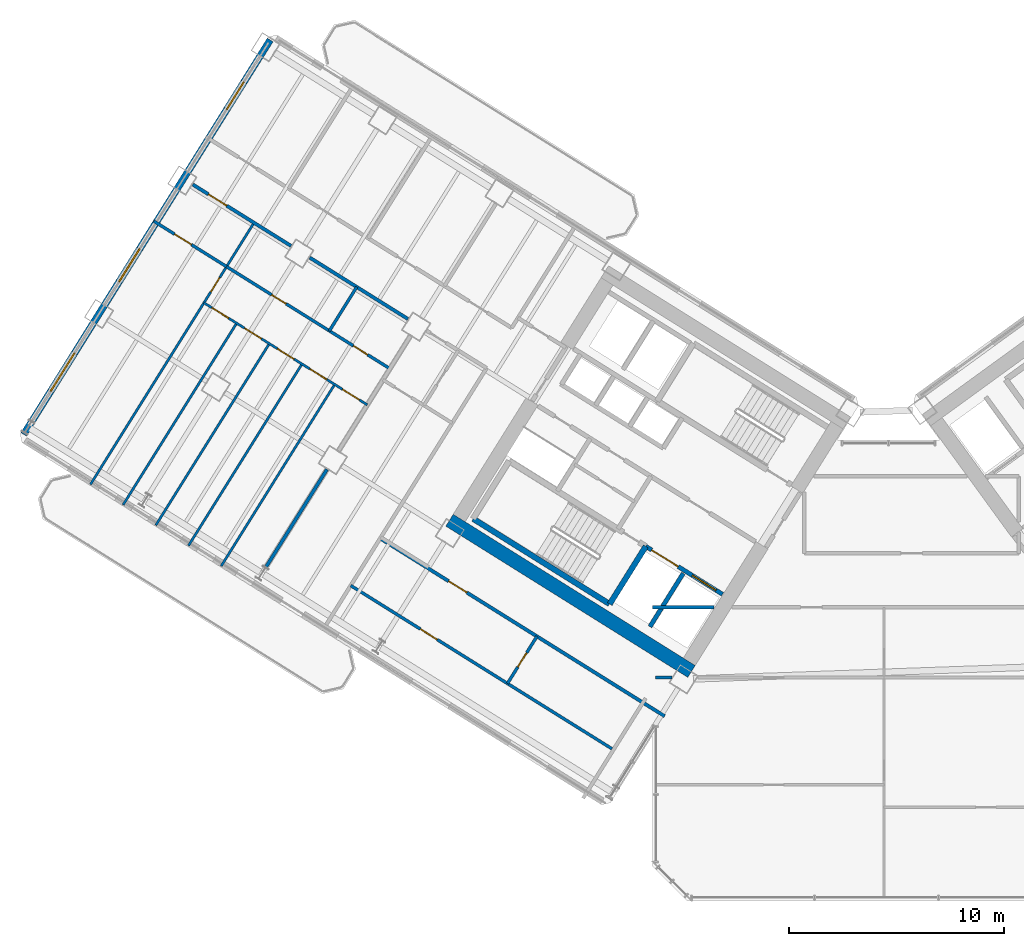
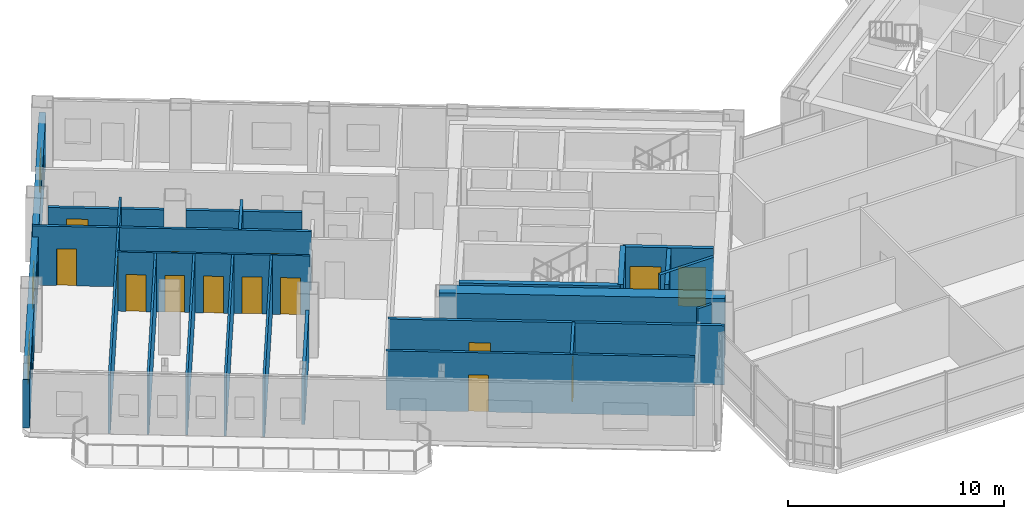
# One storey, part 15 of 28: 23 walls, 15 doors, 3 windows, 18 openings.
"""IFC4 building model written with IfcOpenShell, lengths in metres."""

from ifc_helpers import new_model, si_unit, direction, frame, frame_2d, origin, place, context, subcontext, project, spatial, rectangle, extrude, source, transform, mapped, material, layer, layer_set, type_object, element, fill, save


model = new_model("IFC4")

# Units and contexts
model_context = context("Model", 3, precision=1e-05, world=origin(), true_north=direction((0.0, 1.0)))
body_context = subcontext(model_context, "Body", "Model", "MODEL_VIEW")
ifc_project = project(units=[si_unit("LENGTHUNIT", "METRE"), si_unit("AREAUNIT", "SQUARE_METRE"), si_unit("VOLUMEUNIT", "CUBIC_METRE"), si_unit("PLANEANGLEUNIT", "RADIAN"), si_unit("MASSUNIT", "GRAM", prefix="KILO")], contexts=[model_context])

# Site, building, storey
site_placement = place(None, origin())
site = spatial("IfcSite", under=ifc_project, at=site_placement, CompositionType="ELEMENT")
building_placement = place(site_placement, origin())
building = spatial("IfcBuilding", under=site, at=building_placement, Name="Tlacorven Tower", CompositionType="ELEMENT")
storey_placement = place(building_placement, frame((0.0, 0.0, 63.60009765625)))
storey = spatial("IfcBuildingStorey", under=building, at=storey_placement, Name="L16", CompositionType="ELEMENT", Elevation=63.60009765625)

# Walls
ifc_material_1 = material(Name="Concrete C60/75", Category="concrete")
ifc_layer_1 = layer(ifc_material_1, 0.64990234375)
ifc_layer_set_1 = layer_set([ifc_layer_1], Name="Concrete C60/75")
wall_type_1 = type_object("IfcWallType", Name="WL-COR-650", PredefinedType="SHEAR", material=ifc_layer_set_1)
wall_1_placement = place(storey_placement, frame((33.40869140625, 12.449951171875, 0.0), z_axis=(0.0, 0.0, 1.0), x_axis=(-0.848051132073, 0.529914405721, 0.0)))
element("IfcWall", 1, at=wall_1_placement, inside=storey, type_object=wall_type_1, Name="L16 W core shear wall S2", PredefinedType="SHEAR", context=body_context, shape_type="SweptSolid", body=[
    extrude(rectangle(XDim=13.239990234375, YDim=0.64990234375, at=frame_2d((6.6201171875, 0.0))), origin(), (0.0, 0.0, 1.0), 3.349853515625),
])
ifc_material_2 = material(Name="Gypsum plasterboard acoustic partition", Category="gypsum")
ifc_layer_2 = layer(ifc_material_2, 0.159912109375)
ifc_layer_set_2 = layer_set([ifc_layer_2], Name="Gypsum plasterboard acoustic partition")
wall_type_2 = type_object("IfcWallType", Name="WL-DEM-160", PredefinedType="PARTITIONING", material=ifc_layer_set_2)
wall_2_placement = place(storey_placement, frame((20.250732421875, 28.80810546875, 0.0), z_axis=(0.0, 0.0, 1.0), x_axis=(-0.848044224181, 0.529925460639, 0.0)))
element("IfcWall", 2, at=wall_2_placement, inside=storey, type_object=wall_type_2, Name="L16 Wing W Corridor North Wall", PredefinedType="PARTITIONING", context=body_context, shape_type="SweptSolid", body=[
    extrude(rectangle(XDim=5.3759765625, YDim=0.159912109375, at=frame_2d((2.68798828125, 0.0))), origin(), (0.0, 0.0, 1.0), 2.724853515625),
])

# Wall, opening, door
wall_3_placement = place(storey_placement, frame((14.8232421875, 32.19970703125, 0.0), z_axis=(0.0, 0.0, 1.0), x_axis=(-0.848044224181, 0.529925460639, 0.0)))
wall_3 = element("IfcWall", 3, at=wall_3_placement, inside=storey, type_object=wall_type_2, Name="L16 Wing W Corridor North Wall", PredefinedType="PARTITIONING", context=body_context, shape_type="SweptSolid", body=[
    extrude(rectangle(XDim=5.3759765625, YDim=0.159912109375, at=frame_2d((2.68798828125, 0.0))), origin(), (0.0, 0.0, 1.0), 2.724853515625),
])
opening_1_placement = place(wall_3_placement, frame((3.51806640625, 0.0, 0.0)))
opening_1 = element("IfcOpeningElement", 4, at=opening_1_placement, cuts=wall_3, Name="Opening D11", PredefinedType="OPENING", context=body_context, shape_type="SweptSolid", body=[
    extrude(rectangle(XDim=1.0, YDim=2.10009765625, at=frame_2d((0.5, 1.050048828125))), frame((0.0, 0.08984375, 0.0), z_axis=(0.0, -1.0, 0.0), x_axis=(1.0, 0.0, 0.0)), (0.0, 0.0, 1.0), 0.179931640625),
])
ifc_material_3 = material(Name="Fire-rated steel door assembly", Category="steel")
door_type_1 = type_object("IfcDoorType", Name="DR-FLT-FD60-1000", OperationType="NOTDEFINED", PredefinedType="DOOR", material=ifc_material_3)
shared_shape_1 = source(origin(), body_context, "Body", "SweptSolid", [
    extrude(rectangle(XDim=1.0, YDim=2.10009765625, at=frame_2d((0.5, 1.050048828125))), frame((0.0, 0.02490234375, 0.0), z_axis=(0.0, -1.0, 0.0), x_axis=(1.0, 0.0, 0.0)), (0.0, 0.0, 1.0), 0.050048828125),
])
door_1_placement = place(opening_1_placement, origin())
door_1 = element("IfcDoor", 5, at=door_1_placement, inside=storey, type_object=door_type_1, Name="L16 door 028", OperationType="SINGLE_SWING_LEFT", OverallHeight=2.10009765625, OverallWidth=1.0, PredefinedType="DOOR", context=body_context, shape_type="MappedRepresentation", body=[
    mapped(shared_shape_1, transform((0.0, 0.0, 0.0), scale=1.0)),
])
fill(opening_1, door_1)

# Wall
wall_4_placement = place(storey_placement, frame((16.4921875, 21.8271484375, 0.0), z_axis=(0.0, 0.0, 1.0), x_axis=(-0.529904608059, -0.848057254175, 0.0)))
element("IfcWall", 6, at=wall_4_placement, inside=storey, type_object=wall_type_2, Name="L16 WN Demising Wall 1", PredefinedType="PARTITIONING", context=body_context, shape_type="SweptSolid", body=[
    extrude(rectangle(XDim=5.350830078125, YDim=0.159912109375, at=frame_2d((2.67529296875, 0.0))), origin(), (0.0, 0.0, 1.0), 2.724853515625),
])

# Wall, opening, door
wall_5_placement = place(storey_placement, frame((32.164306640625, 10.373779296875, 0.0), z_axis=(0.0, 0.0, 1.0), x_axis=(-0.848044107957, 0.529925646633, 0.0)))
wall_5 = element("IfcWall", 7, at=wall_5_placement, inside=storey, type_object=wall_type_2, Name="L16 partition 73", PredefinedType="PARTITIONING", context=body_context, shape_type="SweptSolid", body=[
    extrude(rectangle(XDim=15.570068359375, YDim=0.159912109375, at=frame_2d((7.78515625, 0.0))), origin(), (0.0, 0.0, 1.0), 3.33984375),
])
opening_2_placement = place(wall_5_placement, frame((10.830078125, 0.0, 0.0)))
opening_2 = element("IfcOpeningElement", 8, at=opening_2_placement, cuts=wall_5, Name="Opening D11", PredefinedType="OPENING", context=body_context, shape_type="SweptSolid", body=[
    extrude(rectangle(XDim=1.0, YDim=2.10009765625, at=frame_2d((0.5, 1.050048828125))), frame((0.0, 0.08984375, 0.0), z_axis=(0.0, -1.0, 0.0), x_axis=(1.0, 0.0, 0.0)), (0.0, 0.0, 1.0), 0.179931640625),
])
door_2_placement = place(opening_2_placement, origin())
door_2 = element("IfcDoor", 9, at=door_2_placement, inside=storey, type_object=door_type_1, Name="L16 door 042", OperationType="SINGLE_SWING_RIGHT", OverallHeight=2.10009765625, OverallWidth=1.0, PredefinedType="DOOR", context=body_context, shape_type="MappedRepresentation", body=[
    mapped(shared_shape_1, transform((0.0, 0.0, 0.0), scale=1.0)),
])
fill(opening_2, door_2)

# Wall
wall_6_placement = place(storey_placement, frame((31.60009765625, 15.419921875, 0.0), z_axis=(0.0, 0.0, 1.0), x_axis=(1.0, 0.0, 0.0)))
element("IfcWall", 10, at=wall_6_placement, inside=storey, type_object=wall_type_2, Name="L16 Knuckle Corridor South Wall", PredefinedType="PARTITIONING", context=body_context, shape_type="SweptSolid", body=[
    extrude(rectangle(XDim=2.8662109375, YDim=0.159912109375, at=frame_2d((1.43310546875, 0.0))), origin(), (0.0, 0.0, 1.0), 3.33984375),
])

# Wall, openings, windows
ifc_material_4 = material(Name="Precast concrete C45/55", Category="concrete")
ifc_layer_3 = layer(ifc_material_4, 0.320068359375)
ifc_layer_set_3 = layer_set([ifc_layer_3], Name="Precast concrete C45/55")
wall_type_3 = type_object("IfcWallType", Name="WL-EXT-320", PredefinedType="STANDARD", material=ifc_layer_set_3)
wall_7_placement = place(storey_placement, frame((2.41455078125, 23.452392578125, 0.0), z_axis=(0.0, 0.0, 1.0), x_axis=(0.52991049553, 0.848053575387, 0.0)))
wall_7 = element("IfcWall", 11, at=wall_7_placement, inside=storey, type_object=wall_type_3, Name="L16 Masonry-Frame Recessed Facade Wall 2", PredefinedType="STANDARD", context=body_context, shape_type="SweptSolid", body=[
    extrude(rectangle(XDim=21.58740234375, YDim=0.320068359375, at=frame_2d((10.793701171875, 0.0))), origin(), (0.0, 0.0, 1.0), 2.724853515625),
])
opening_3_placement = place(wall_7_placement, frame((2.356201171875, 0.0, 0.800048828125)))
opening_3 = element("IfcOpeningElement", 12, at=opening_3_placement, cuts=wall_7, Name="Opening WN04", PredefinedType="OPENING", context=body_context, shape_type="SweptSolid", body=[
    extrude(rectangle(XDim=2.10009765625, YDim=1.550048828125, at=frame_2d((1.050048828125, 0.77490234375))), frame((0.0, 0.169921875, 0.0), z_axis=(0.0, -1.0, 0.0), x_axis=(1.0, 0.0, 0.0)), (0.0, 0.0, 1.0), 0.340087890625),
])
opening_4_placement = place(wall_7_placement, frame((8.358642578125, 0.0, 0.85009765625)))
opening_4 = element("IfcOpeningElement", 13, at=opening_4_placement, cuts=wall_7, Name="Opening WN01", PredefinedType="OPENING", context=body_context, shape_type="SweptSolid", body=[
    extrude(rectangle(XDim=1.800048828125, YDim=1.5, at=frame_2d((0.89990234375, 0.75))), frame((0.0, 0.169921875, 0.0), z_axis=(0.0, -1.0, 0.0), x_axis=(1.0, 0.0, 0.0)), (0.0, 0.0, 1.0), 0.340087890625),
])
opening_5_placement = place(wall_7_placement, frame((17.78369140625, 0.0, 0.85009765625)))
opening_5 = element("IfcOpeningElement", 14, at=opening_5_placement, cuts=wall_7, Name="Opening WN02", PredefinedType="OPENING", context=body_context, shape_type="SweptSolid", body=[
    extrude(rectangle(XDim=1.5, YDim=1.5, at=frame_2d((0.75, 0.75))), frame((0.0, 0.169921875, 0.0), z_axis=(0.0, -1.0, 0.0), x_axis=(1.0, 0.0, 0.0)), (0.0, 0.0, 1.0), 0.340087890625),
])
ifc_material_5 = material(Name="Dark solar low-E double glazing in anodised aluminium frame", Category="aluminium")
window_type_1 = type_object("IfcWindowType", Name="WN-APT-2100X1750", PartitioningType="SINGLE_PANEL", PredefinedType="WINDOW", material=ifc_material_5)
shared_shape_2 = source(origin(), body_context, "Body", "SweptSolid", [
    extrude(rectangle(XDim=2.10009765625, YDim=1.550048828125, at=frame_2d((1.050048828125, 0.77490234375))), frame((0.0, 0.030029296875, 0.0), z_axis=(0.0, -1.0, 0.0), x_axis=(1.0, 0.0, 0.0)), (0.0, 0.0, 1.0), 0.06005859375),
])
window_1_placement = place(opening_3_placement, origin())
window_1 = element("IfcWindow", 15, at=window_1_placement, inside=storey, type_object=window_type_1, Name="L16 Recessed Masonry-Frame Window L16-02.1", OverallHeight=1.550048828125, OverallWidth=2.10009765625, PartitioningType="SINGLE_PANEL", PredefinedType="WINDOW", context=body_context, shape_type="MappedRepresentation", body=[
    mapped(shared_shape_2, transform((0.0, 0.0, 0.0), scale=1.0)),
])
fill(opening_3, window_1)
window_type_2 = type_object("IfcWindowType", Name="WN-APT-1800X1650", PartitioningType="SINGLE_PANEL", PredefinedType="WINDOW", material=ifc_material_5)
shared_shape_3 = source(origin(), body_context, "Body", "SweptSolid", [
    extrude(rectangle(XDim=1.800048828125, YDim=1.5, at=frame_2d((0.89990234375, 0.75))), frame((0.0, 0.030029296875, 0.0), z_axis=(0.0, -1.0, 0.0), x_axis=(1.0, 0.0, 0.0)), (0.0, 0.0, 1.0), 0.06005859375),
])
window_2_placement = place(opening_4_placement, origin())
window_2 = element("IfcWindow", 16, at=window_2_placement, inside=storey, type_object=window_type_2, Name="L16 Recessed Masonry-Frame Window L16-02.2", OverallHeight=1.5, OverallWidth=1.800048828125, PartitioningType="SINGLE_PANEL", PredefinedType="WINDOW", context=body_context, shape_type="MappedRepresentation", body=[
    mapped(shared_shape_3, transform((0.0, 0.0, 0.0), scale=1.0)),
])
fill(opening_4, window_2)
window_type_3 = type_object("IfcWindowType", Name="WN-APT-1500X1650", PartitioningType="SINGLE_PANEL", PredefinedType="WINDOW", material=ifc_material_5)
shared_shape_4 = source(origin(), body_context, "Body", "SweptSolid", [
    extrude(rectangle(XDim=1.5, YDim=1.5, at=frame_2d((0.75, 0.75))), frame((0.0, 0.030029296875, 0.0), z_axis=(0.0, -1.0, 0.0), x_axis=(1.0, 0.0, 0.0)), (0.0, 0.0, 1.0), 0.06005859375),
])
window_3_placement = place(opening_5_placement, origin())
window_3 = element("IfcWindow", 17, at=window_3_placement, inside=storey, type_object=window_type_3, Name="L16 Recessed Masonry-Frame Window L16-02.3", OverallHeight=1.5, OverallWidth=1.5, PartitioningType="SINGLE_PANEL", PredefinedType="WINDOW", context=body_context, shape_type="MappedRepresentation", body=[
    mapped(shared_shape_4, transform((0.0, 0.0, 0.0), scale=1.0)),
])
fill(opening_5, window_3)

# Wall, opening, door
ifc_material_6 = material(Name="Gypsum plasterboard partition", Category="gypsum")
ifc_layer_4 = layer(ifc_material_6, 0.110107421875)
ifc_layer_set_4 = layer_set([ifc_layer_4], Name="Gypsum plasterboard partition")
wall_type_4 = type_object("IfcWallType", Name="WL-INT-110", PredefinedType="PARTITIONING", material=ifc_layer_set_4)
wall_8_placement = place(storey_placement, frame((13.103515625, 33.2744140625, 0.0), z_axis=(0.0, 0.0, 1.0), x_axis=(-0.529916182913, -0.848050021571, 0.0)))
wall_8 = element("IfcWall", 18, at=wall_8_placement, inside=storey, type_object=wall_type_4, Name="L16 partition 60", PredefinedType="PARTITIONING", context=body_context, shape_type="SweptSolid", body=[
    extrude(rectangle(XDim=14.320068359375, YDim=0.110107421875, at=frame_2d((7.16015625, 0.0))), origin(), (0.0, 0.0, 1.0), 3.33984375),
])
opening_6_placement = place(wall_8_placement, frame((3.0, 0.0, 0.0)))
opening_6 = element("IfcOpeningElement", 19, at=opening_6_placement, cuts=wall_8, Name="Opening D22", PredefinedType="OPENING", context=body_context, shape_type="SweptSolid", body=[
    extrude(rectangle(XDim=0.780029296875, YDim=2.050048828125, at=frame_2d((0.39013671875, 1.02490234375))), frame((0.0, 0.06494140625, 0.0), z_axis=(0.0, -1.0, 0.0), x_axis=(1.0, 0.0, 0.0)), (0.0, 0.0, 1.0), 0.130126953125),
])
ifc_material_7 = material(Name="Powder-coated aluminium and timber door", Category="wood")
door_type_2 = type_object("IfcDoorType", Name="DR-INT-WET-0780", OperationType="NOTDEFINED", PredefinedType="DOOR", material=ifc_material_7)
shared_shape_5 = source(origin(), body_context, "Body", "SweptSolid", [
    extrude(rectangle(XDim=0.780029296875, YDim=2.050048828125, at=frame_2d((0.39013671875, 1.02490234375))), frame((0.0, 0.02490234375, 0.0), z_axis=(0.0, -1.0, 0.0), x_axis=(1.0, 0.0, 0.0)), (0.0, 0.0, 1.0), 0.050048828125),
])
door_3_placement = place(opening_6_placement, origin())
door_3 = element("IfcDoor", 20, at=door_3_placement, inside=storey, type_object=door_type_2, Name="L16 door 030", OperationType="SINGLE_SWING_RIGHT", OverallHeight=2.050048828125, OverallWidth=0.780029296875, PredefinedType="DOOR", context=body_context, shape_type="MappedRepresentation", body=[
    mapped(shared_shape_5, transform((0.0, 0.0, 0.0), scale=1.0)),
])
fill(opening_6, door_3)

# Wall, openings, doors
wall_9_placement = place(storey_placement, frame((18.364013671875, 24.822509765625, 0.0), z_axis=(0.0, 0.0, 1.0), x_axis=(-0.848056599187, 0.529905656296, 0.0)))
wall_9 = element("IfcWall", 21, at=wall_9_placement, inside=storey, type_object=wall_type_4, Name="L16 partition 65", PredefinedType="PARTITIONING", context=body_context, shape_type="SweptSolid", body=[
    extrude(rectangle(XDim=8.93994140625, YDim=0.110107421875, at=frame_2d((4.469970703125, 0.0))), origin(), (0.0, 0.0, 1.0), 3.33984375),
])
opening_7_placement = place(wall_9_placement, frame((0.43408203125, 0.0, 0.0)))
opening_7 = element("IfcOpeningElement", 22, at=opening_7_placement, cuts=wall_9, Name="Opening D12", PredefinedType="OPENING", context=body_context, shape_type="SweptSolid", body=[
    extrude(rectangle(XDim=0.919921875, YDim=2.080078125, at=frame_2d((0.4599609375, 1.0400390625))), frame((0.0, 0.06494140625, 0.0), z_axis=(0.0, -1.0, 0.0), x_axis=(1.0, 0.0, 0.0)), (0.0, 0.0, 1.0), 0.130126953125),
])
opening_8_placement = place(wall_9_placement, frame((2.221923828125, 0.0, 0.0)))
opening_8 = element("IfcOpeningElement", 23, at=opening_8_placement, cuts=wall_9, Name="Opening D12", PredefinedType="OPENING", context=body_context, shape_type="SweptSolid", body=[
    extrude(rectangle(XDim=0.919921875, YDim=2.080078125, at=frame_2d((0.4599609375, 1.0400390625))), frame((0.0, 0.06494140625, 0.0), z_axis=(0.0, -1.0, 0.0), x_axis=(1.0, 0.0, 0.0)), (0.0, 0.0, 1.0), 0.130126953125),
])
opening_9_placement = place(wall_9_placement, frame((4.010009765625, 0.0, 0.0)))
opening_9 = element("IfcOpeningElement", 24, at=opening_9_placement, cuts=wall_9, Name="Opening D12", PredefinedType="OPENING", context=body_context, shape_type="SweptSolid", body=[
    extrude(rectangle(XDim=0.919921875, YDim=2.080078125, at=frame_2d((0.4599609375, 1.0400390625))), frame((0.0, 0.06494140625, 0.0), z_axis=(0.0, -1.0, 0.0), x_axis=(1.0, 0.0, 0.0)), (0.0, 0.0, 1.0), 0.130126953125),
])
opening_10_placement = place(wall_9_placement, frame((5.798095703125, 0.0, 0.0)))
opening_10 = element("IfcOpeningElement", 25, at=opening_10_placement, cuts=wall_9, Name="Opening D12", PredefinedType="OPENING", context=body_context, shape_type="SweptSolid", body=[
    extrude(rectangle(XDim=0.919921875, YDim=2.080078125, at=frame_2d((0.4599609375, 1.0400390625))), frame((0.0, 0.06494140625, 0.0), z_axis=(0.0, -1.0, 0.0), x_axis=(1.0, 0.0, 0.0)), (0.0, 0.0, 1.0), 0.130126953125),
])
opening_11_placement = place(wall_9_placement, frame((7.5859375, 0.0, 0.0)))
opening_11 = element("IfcOpeningElement", 26, at=opening_11_placement, cuts=wall_9, Name="Opening D12", PredefinedType="OPENING", context=body_context, shape_type="SweptSolid", body=[
    extrude(rectangle(XDim=0.919921875, YDim=2.080078125, at=frame_2d((0.4599609375, 1.0400390625))), frame((0.0, 0.06494140625, 0.0), z_axis=(0.0, -1.0, 0.0), x_axis=(1.0, 0.0, 0.0)), (0.0, 0.0, 1.0), 0.130126953125),
])
door_type_3 = type_object("IfcDoorType", Name="DR-INT-ROOM-0920", OperationType="NOTDEFINED", PredefinedType="DOOR", material=ifc_material_7)
shared_shape_6 = source(origin(), body_context, "Body", "SweptSolid", [
    extrude(rectangle(XDim=0.919921875, YDim=2.080078125, at=frame_2d((0.4599609375, 1.0400390625))), frame((0.0, 0.02490234375, 0.0), z_axis=(0.0, -1.0, 0.0), x_axis=(1.0, 0.0, 0.0)), (0.0, 0.0, 1.0), 0.050048828125),
])
door_4_placement = place(opening_7_placement, origin())
door_4 = element("IfcDoor", 27, at=door_4_placement, inside=storey, type_object=door_type_3, Name="L16 door 033", OperationType="SINGLE_SWING_LEFT", OverallHeight=2.080078125, OverallWidth=0.919921875, PredefinedType="DOOR", context=body_context, shape_type="MappedRepresentation", body=[
    mapped(shared_shape_6, transform((0.0, 0.0, 0.0), scale=1.0)),
])
fill(opening_7, door_4)
door_5_placement = place(opening_8_placement, origin())
door_5 = element("IfcDoor", 28, at=door_5_placement, inside=storey, type_object=door_type_3, Name="L16 door 034", OperationType="SINGLE_SWING_RIGHT", OverallHeight=2.080078125, OverallWidth=0.919921875, PredefinedType="DOOR", context=body_context, shape_type="MappedRepresentation", body=[
    mapped(shared_shape_6, transform((0.0, 0.0, 0.0), scale=1.0)),
])
fill(opening_8, door_5)
door_6_placement = place(opening_9_placement, origin())
door_6 = element("IfcDoor", 29, at=door_6_placement, inside=storey, type_object=door_type_3, Name="L16 door 035", OperationType="SINGLE_SWING_LEFT", OverallHeight=2.080078125, OverallWidth=0.919921875, PredefinedType="DOOR", context=body_context, shape_type="MappedRepresentation", body=[
    mapped(shared_shape_6, transform((0.0, 0.0, 0.0), scale=1.0)),
])
fill(opening_9, door_6)
door_7_placement = place(opening_10_placement, origin())
door_7 = element("IfcDoor", 30, at=door_7_placement, inside=storey, type_object=door_type_3, Name="L16 door 036", OperationType="SINGLE_SWING_RIGHT", OverallHeight=2.080078125, OverallWidth=0.919921875, PredefinedType="DOOR", context=body_context, shape_type="MappedRepresentation", body=[
    mapped(shared_shape_6, transform((0.0, 0.0, 0.0), scale=1.0)),
])
fill(opening_10, door_7)
door_8_placement = place(opening_11_placement, origin())
door_8 = element("IfcDoor", 31, at=door_8_placement, inside=storey, type_object=door_type_3, Name="L16 door 037", OperationType="SINGLE_SWING_LEFT", OverallHeight=2.080078125, OverallWidth=0.919921875, PredefinedType="DOOR", context=body_context, shape_type="MappedRepresentation", body=[
    mapped(shared_shape_6, transform((0.0, 0.0, 0.0), scale=1.0)),
])
fill(opening_11, door_8)

# Walls
for number, where, z_axis, x_axis, name in (
    (32, (16.84765625, 25.77001953125, 0.0), (0.0, 0.0, 1.0), (-0.529910626741, -0.8480534934, 0.0), "L16 partition 66"),
    (33, (15.331298828125, 26.717529296875, 0.0), (0.0, 0.0, 1.0), (-0.529910626741, -0.8480534934, 0.0), "L16 partition 67"),
    (34, (13.81494140625, 27.6650390625, 0.0), (0.0, 0.0, 1.0), (-0.529910626741, -0.8480534934, 0.0), "L16 partition 68"),
):
    element("IfcWall", number, at=place(storey_placement, frame(where, z_axis=z_axis, x_axis=x_axis)), inside=storey, type_object=wall_type_4, Name=name, PredefinedType="PARTITIONING", context=body_context, shape_type="SweptSolid", body=[
        extrude(rectangle(XDim=9.93994140625, YDim=0.110107421875, at=frame_2d((4.969970703125, 0.0))), origin(), (0.0, 0.0, 1.0), 3.33984375),
    ])
wall_10_placement = place(storey_placement, frame((12.298828125, 28.612548828125, 0.0), z_axis=(0.0, 0.0, 1.0), x_axis=(-0.529928290772, -0.848042455682, 0.0)))
element("IfcWall", 35, at=wall_10_placement, inside=storey, type_object=wall_type_4, Name="L16 partition 69", PredefinedType="PARTITIONING", context=body_context, shape_type="SweptSolid", body=[
    extrude(rectangle(XDim=9.940185546875, YDim=0.110107421875, at=frame_2d((4.97021484375, 0.0))), origin(), (0.0, 0.0, 1.0), 3.33984375),
])

# Wall, opening, door
ifc_material_8 = material(Name="Moisture-resistant gypsum plumbing wall", Category="gypsum")
ifc_layer_5 = layer(ifc_material_8, 0.139892578125)
ifc_layer_set_5 = layer_set([ifc_layer_5], Name="Moisture-resistant gypsum plumbing wall")
wall_type_5 = type_object("IfcWallType", Name="WL-PLM-140", PredefinedType="PLUMBINGWALL", material=ifc_layer_set_5)
wall_11_placement = place(storey_placement, frame((11.83154296875, 31.239013671875, 0.0), z_axis=(0.0, 0.0, 1.0), x_axis=(-0.848025873403, 0.529954826413, 0.0)))
wall_11 = element("IfcWall", 36, at=wall_11_placement, inside=storey, type_object=wall_type_5, Name="L16 partition 62", PredefinedType="PLUMBINGWALL", context=body_context, shape_type="SweptSolid", body=[
    extrude(rectangle(XDim=3.979736328125, YDim=0.139892578125, at=frame_2d((1.98974609375, 0.0))), origin(), (0.0, 0.0, 1.0), 3.33984375),
])
opening_12_placement = place(wall_11_placement, frame((1.929931640625, 0.0, 0.0)))
opening_12 = element("IfcOpeningElement", 37, at=opening_12_placement, cuts=wall_11, Name="Opening D12", PredefinedType="OPENING", context=body_context, shape_type="SweptSolid", body=[
    extrude(rectangle(XDim=0.919921875, YDim=2.080078125, at=frame_2d((0.4599609375, 1.0400390625))), frame((0.0, 0.080078125, 0.0), z_axis=(0.0, -1.0, 0.0), x_axis=(1.0, 0.0, 0.0)), (0.0, 0.0, 1.0), 0.159912109375),
])
door_9_placement = place(opening_12_placement, origin())
door_9 = element("IfcDoor", 38, at=door_9_placement, inside=storey, type_object=door_type_3, Name="L16 door 029", OperationType="SINGLE_SWING_LEFT", OverallHeight=2.080078125, OverallWidth=0.919921875, PredefinedType="DOOR", context=body_context, shape_type="MappedRepresentation", body=[
    mapped(shared_shape_6, transform((0.0, 0.0, 0.0), scale=1.0)),
])
fill(opening_12, door_9)

# Wall, openings, doors
wall_12_placement = place(storey_placement, frame((19.413330078125, 26.50146484375, 0.0), z_axis=(0.0, 0.0, 1.0), x_axis=(-0.848051995289, 0.529913024266, 0.0)))
wall_12 = element("IfcWall", 39, at=wall_12_placement, inside=storey, type_object=wall_type_5, Name="L16 partition 63", PredefinedType="PLUMBINGWALL", context=body_context, shape_type="SweptSolid", body=[
    extrude(rectangle(XDim=8.940185546875, YDim=0.139892578125, at=frame_2d((4.47021484375, 0.0))), origin(), (0.0, 0.0, 1.0), 3.33984375),
])
opening_13_placement = place(wall_12_placement, frame((5.6875, 0.0, 0.0)))
opening_13 = element("IfcOpeningElement", 40, at=opening_13_placement, cuts=wall_12, Name="Opening D22", PredefinedType="OPENING", context=body_context, shape_type="SweptSolid", body=[
    extrude(rectangle(XDim=0.780029296875, YDim=2.050048828125, at=frame_2d((0.39013671875, 1.02490234375))), frame((0.0, 0.080078125, 0.0), z_axis=(0.0, -1.0, 0.0), x_axis=(1.0, 0.0, 0.0)), (0.0, 0.0, 1.0), 0.159912109375),
])
opening_14_placement = place(wall_12_placement, frame((1.217529296875, 0.0, 0.0)))
opening_14 = element("IfcOpeningElement", 41, at=opening_14_placement, cuts=wall_12, Name="Opening D22", PredefinedType="OPENING", context=body_context, shape_type="SweptSolid", body=[
    extrude(rectangle(XDim=0.780029296875, YDim=2.050048828125, at=frame_2d((0.39013671875, 1.02490234375))), frame((0.0, 0.080078125, 0.0), z_axis=(0.0, -1.0, 0.0), x_axis=(1.0, 0.0, 0.0)), (0.0, 0.0, 1.0), 0.159912109375),
])
door_10_placement = place(opening_13_placement, origin())
door_10 = element("IfcDoor", 42, at=door_10_placement, inside=storey, type_object=door_type_2, Name="L16 door 031", OperationType="SINGLE_SWING_LEFT", OverallHeight=2.050048828125, OverallWidth=0.780029296875, PredefinedType="DOOR", context=body_context, shape_type="MappedRepresentation", body=[
    mapped(shared_shape_5, transform((0.0, 0.0, 0.0), scale=1.0)),
])
fill(opening_13, door_10)
door_11_placement = place(opening_14_placement, origin())
door_11 = element("IfcDoor", 43, at=door_11_placement, inside=storey, type_object=door_type_2, Name="L16 door 032", OperationType="SINGLE_SWING_RIGHT", OverallHeight=2.050048828125, OverallWidth=0.780029296875, PredefinedType="DOOR", context=body_context, shape_type="MappedRepresentation", body=[
    mapped(shared_shape_5, transform((0.0, 0.0, 0.0), scale=1.0)),
])
fill(opening_14, door_11)

# Wall
wall_13_placement = place(storey_placement, frame((17.873779296875, 30.293701171875, 0.0), z_axis=(0.0, 0.0, 1.0), x_axis=(-0.52988967038, -0.848066587731, 0.0)))
element("IfcWall", 44, at=wall_13_placement, inside=storey, type_object=wall_type_5, Name="L16 partition 64", PredefinedType="PLUMBINGWALL", context=body_context, shape_type="SweptSolid", body=[
    extrude(rectangle(XDim=2.41015625, YDim=0.139892578125, at=frame_2d((1.205078125, 0.0))), origin(), (0.0, 0.0, 1.0), 3.33984375),
])

# Wall, opening, door
wall_14_placement = place(storey_placement, frame((29.72021484375, 8.85888671875, 0.0), z_axis=(0.0, 0.0, 1.0), x_axis=(-0.848049134363, 0.529917602752, 0.0)))
wall_14 = element("IfcWall", 45, at=wall_14_placement, inside=storey, type_object=wall_type_5, Name="L16 partition 75", PredefinedType="PLUMBINGWALL", context=body_context, shape_type="SweptSolid", body=[
    extrude(rectangle(XDim=14.300048828125, YDim=0.139892578125, at=frame_2d((7.14990234375, 0.0))), origin(), (0.0, 0.0, 1.0), 3.33984375),
])
opening_15_placement = place(wall_14_placement, frame((9.570068359375, 0.0, 0.0)))
opening_15 = element("IfcOpeningElement", 46, at=opening_15_placement, cuts=wall_14, Name="Opening D12", PredefinedType="OPENING", context=body_context, shape_type="SweptSolid", body=[
    extrude(rectangle(XDim=0.919921875, YDim=2.080078125, at=frame_2d((0.4599609375, 1.0400390625))), frame((0.0, 0.080078125, 0.0), z_axis=(0.0, -1.0, 0.0), x_axis=(1.0, 0.0, 0.0)), (0.0, 0.0, 1.0), 0.159912109375),
])
door_12_placement = place(opening_15_placement, origin())
door_12 = element("IfcDoor", 47, at=door_12_placement, inside=storey, type_object=door_type_3, Name="L16 door 043", OperationType="SINGLE_SWING_LEFT", OverallHeight=2.080078125, OverallWidth=0.919921875, PredefinedType="DOOR", context=body_context, shape_type="MappedRepresentation", body=[
    mapped(shared_shape_6, transform((0.0, 0.0, 0.0), scale=1.0)),
])
fill(opening_15, door_12)

wall_15_placement = place(storey_placement, frame((26.236572265625, 14.077880859375, 0.0), z_axis=(0.0, 0.0, 1.0), x_axis=(-0.52995640672, -0.848024885824, 0.0)))
wall_15 = element("IfcWall", 48, at=wall_15_placement, inside=storey, type_object=wall_type_5, Name="L16 partition 76", PredefinedType="PLUMBINGWALL", context=body_context, shape_type="SweptSolid", body=[
    extrude(rectangle(XDim=2.579833984375, YDim=0.139892578125, at=frame_2d((1.2900390625, 0.0))), origin(), (0.0, 0.0, 1.0), 3.33984375),
])
opening_16_placement = place(wall_15_placement, frame((0.89990234375, 0.0, 0.0)))
opening_16 = element("IfcOpeningElement", 49, at=opening_16_placement, cuts=wall_15, Name="Opening D22", PredefinedType="OPENING", context=body_context, shape_type="SweptSolid", body=[
    extrude(rectangle(XDim=0.780029296875, YDim=2.050048828125, at=frame_2d((0.39013671875, 1.02490234375))), frame((0.0, 0.080078125, 0.0), z_axis=(0.0, -1.0, 0.0), x_axis=(1.0, 0.0, 0.0)), (0.0, 0.0, 1.0), 0.159912109375),
])
door_13_placement = place(opening_16_placement, origin())
door_13 = element("IfcDoor", 50, at=door_13_placement, inside=storey, type_object=door_type_2, Name="L16 door 044", OperationType="SINGLE_SWING_RIGHT", OverallHeight=2.050048828125, OverallWidth=0.780029296875, PredefinedType="DOOR", context=body_context, shape_type="MappedRepresentation", body=[
    mapped(shared_shape_5, transform((0.0, 0.0, 0.0), scale=1.0)),
])
fill(opening_16, door_13)

# Wall
wall_16_placement = place(storey_placement, frame((31.739990234375, 12.169921875, 0.0), z_axis=(0.0, 0.0, 1.0), x_axis=(1.0, 0.0, 0.0)))
element("IfcWall", 51, at=wall_16_placement, inside=storey, type_object=wall_type_5, Name="L16 partition 85", PredefinedType="PLUMBINGWALL", context=body_context, shape_type="SweptSolid", body=[
    extrude(rectangle(XDim=0.75439453125, YDim=0.139892578125, at=frame_2d((0.377197265625, 0.0))), origin(), (0.0, 0.0, 1.0), 3.33984375),
])

# Wall, openings, doors
ifc_material_9 = material(Name="Concrete C40/50", Category="concrete")
ifc_layer_6 = layer(ifc_material_9, 0.199951171875)
ifc_layer_set_6 = layer_set([ifc_layer_6], Name="Concrete C40/50")
wall_type_6 = type_object("IfcWallType", Name="WL-SHF-200", PredefinedType="STANDARD", material=ifc_layer_set_6)
wall_17_placement = place(storey_placement, frame((34.84814453125, 16.03125, 0.0), z_axis=(0.0, 0.0, 1.0), x_axis=(-0.848044042236, 0.529925751807, 0.0)))
wall_17 = element("IfcWall", 52, at=wall_17_placement, inside=storey, type_object=wall_type_6, Name="L16 Core W Firefighting Lift Shaft Front Wall", PredefinedType="STANDARD", context=body_context, shape_type="SweptSolid", body=[
    extrude(rectangle(XDim=4.197998046875, YDim=0.199951171875, at=frame_2d((2.09912109375, 0.0))), origin(), (0.0, 0.0, 1.0), 3.33984375),
])
opening_17_placement = place(wall_17_placement, frame((0.347900390625, 0.0, 0.0)))
opening_17 = element("IfcOpeningElement", 53, at=opening_17_placement, cuts=wall_17, Name="Opening LD03", PredefinedType="OPENING", context=body_context, shape_type="SweptSolid", body=[
    extrude(rectangle(XDim=1.300048828125, YDim=2.199951171875, at=frame_2d((0.64990234375, 1.10009765625))), frame((0.0, 0.10986328125, 0.0), z_axis=(0.0, -1.0, 0.0), x_axis=(1.0, 0.0, 0.0)), (0.0, 0.0, 1.0), 0.219970703125),
])
opening_18_placement = place(wall_17_placement, frame((2.423095703125, 0.0, 0.0)))
opening_18 = element("IfcOpeningElement", 54, at=opening_18_placement, cuts=wall_17, Name="Opening LD04", PredefinedType="OPENING", context=body_context, shape_type="SweptSolid", body=[
    extrude(rectangle(XDim=1.449951171875, YDim=2.25, at=frame_2d((0.72509765625, 1.125))), frame((0.0, 0.10986328125, 0.0), z_axis=(0.0, -1.0, 0.0), x_axis=(1.0, 0.0, 0.0)), (0.0, 0.0, 1.0), 0.219970703125),
])
door_type_4 = type_object("IfcDoorType", Name="DR-LFT-SLID-1300", OperationType="DOUBLE_DOOR_SLIDING", PredefinedType="DOOR", material=ifc_material_3)
shared_shape_7 = source(origin(), body_context, "Body", "SweptSolid", [
    extrude(rectangle(XDim=1.300048828125, YDim=2.199951171875, at=frame_2d((0.64990234375, 1.10009765625))), frame((0.0, 0.02490234375, 0.0), z_axis=(0.0, -1.0, 0.0), x_axis=(1.0, 0.0, 0.0)), (0.0, 0.0, 1.0), 0.050048828125),
])
door_14_placement = place(opening_17_placement, origin())
door_14 = element("IfcDoor", 55, at=door_14_placement, inside=storey, type_object=door_type_4, Name="L16 Lift FFL-W1 Sliding Landing Door", OperationType="DOUBLE_DOOR_SLIDING", OverallHeight=2.199951171875, OverallWidth=1.300048828125, PredefinedType="DOOR", context=body_context, shape_type="MappedRepresentation", body=[
    mapped(shared_shape_7, transform((0.0, 0.0, 0.0), scale=1.0)),
])
fill(opening_17, door_14)
door_type_5 = type_object("IfcDoorType", Name="DR-LFT-SLID-1450", OperationType="DOUBLE_DOOR_SLIDING", PredefinedType="DOOR", material=ifc_material_3)
shared_shape_8 = source(origin(), body_context, "Body", "SweptSolid", [
    extrude(rectangle(XDim=1.449951171875, YDim=2.25, at=frame_2d((0.72509765625, 1.125))), frame((0.0, 0.02490234375, 0.0), z_axis=(0.0, -1.0, 0.0), x_axis=(1.0, 0.0, 0.0)), (0.0, 0.0, 1.0), 0.050048828125),
])
door_15_placement = place(opening_18_placement, origin())
door_15 = element("IfcDoor", 56, at=door_15_placement, inside=storey, type_object=door_type_5, Name="L16 Lift SVL-W1 Sliding Landing Door", OperationType="DOUBLE_DOOR_SLIDING", OverallHeight=2.25, OverallWidth=1.449951171875, PredefinedType="DOOR", context=body_context, shape_type="MappedRepresentation", body=[
    mapped(shared_shape_8, transform((0.0, 0.0, 0.0), scale=1.0)),
])
fill(opening_18, door_15)

# Walls
wall_18_placement = place(storey_placement, frame((33.02880859375, 17.003173828125, 0.0), z_axis=(0.0, 0.0, 1.0), x_axis=(-0.529916267533, -0.848049968695, 0.0)))
element("IfcWall", 57, at=wall_18_placement, inside=storey, type_object=wall_type_6, Name="L16 partition 14", PredefinedType="STANDARD", context=body_context, shape_type="SweptSolid", body=[
    extrude(rectangle(XDim=2.919921875, YDim=0.199951171875, at=frame_2d((1.4599609375, 0.0))), origin(), (0.0, 0.0, 1.0), 3.33984375),
])
ifc_material_10 = material(Name="Concrete C50/60", Category="concrete")
ifc_layer_7 = layer(ifc_material_10, 0.260009765625)
ifc_layer_set_7 = layer_set([ifc_layer_7], Name="Concrete C50/60")
wall_type_7 = type_object("IfcWallType", Name="WL-STW-260", PredefinedType="SHEAR", material=ifc_layer_set_7)
wall_19_placement = place(storey_placement, frame((29.60498046875, 15.581298828125, 0.0), z_axis=(0.0, 0.0, 1.0), x_axis=(-0.848036911448, 0.529937163087, 0.0)))
element("IfcWall", 58, at=wall_19_placement, inside=storey, type_object=wall_type_7, Name="L16 Stair W1 Far Shear Wall", PredefinedType="SHEAR", context=body_context, shape_type="SweptSolid", body=[
    extrude(rectangle(XDim=7.4599609375, YDim=0.260009765625, at=frame_2d((3.72998046875, 0.0))), origin(), (0.0, 0.0, 1.0), 3.349853515625),
])
wall_20_placement = place(storey_placement, frame((31.2880859375, 18.255859375, 0.0), z_axis=(0.0, 0.0, 1.0), x_axis=(-0.529943379326, -0.848033026897, 0.0)))
element("IfcWall", 59, at=wall_20_placement, inside=storey, type_object=wall_type_7, Name="L16 Stair W1 West Shear Wall", PredefinedType="SHEAR", context=body_context, shape_type="SweptSolid", body=[
    extrude(rectangle(XDim=3.159912109375, YDim=0.260009765625, at=frame_2d((1.580078125, 0.0))), origin(), (0.0, 0.0, 1.0), 3.349853515625),
])

save(model, "model.ifc")
